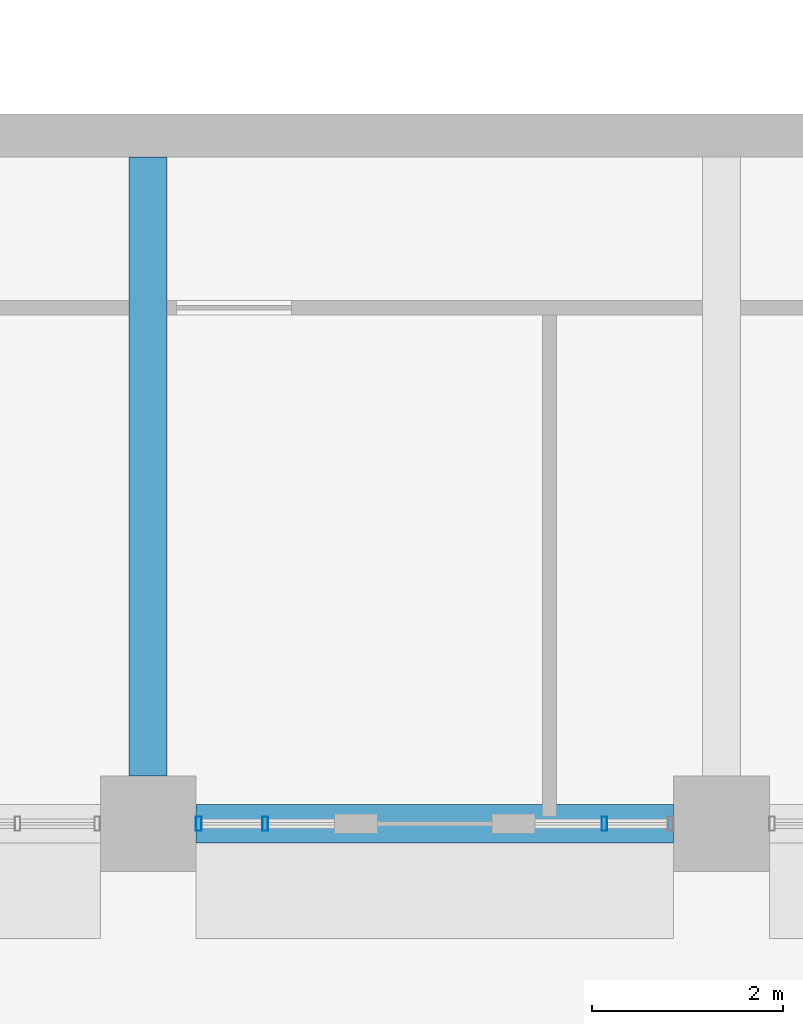
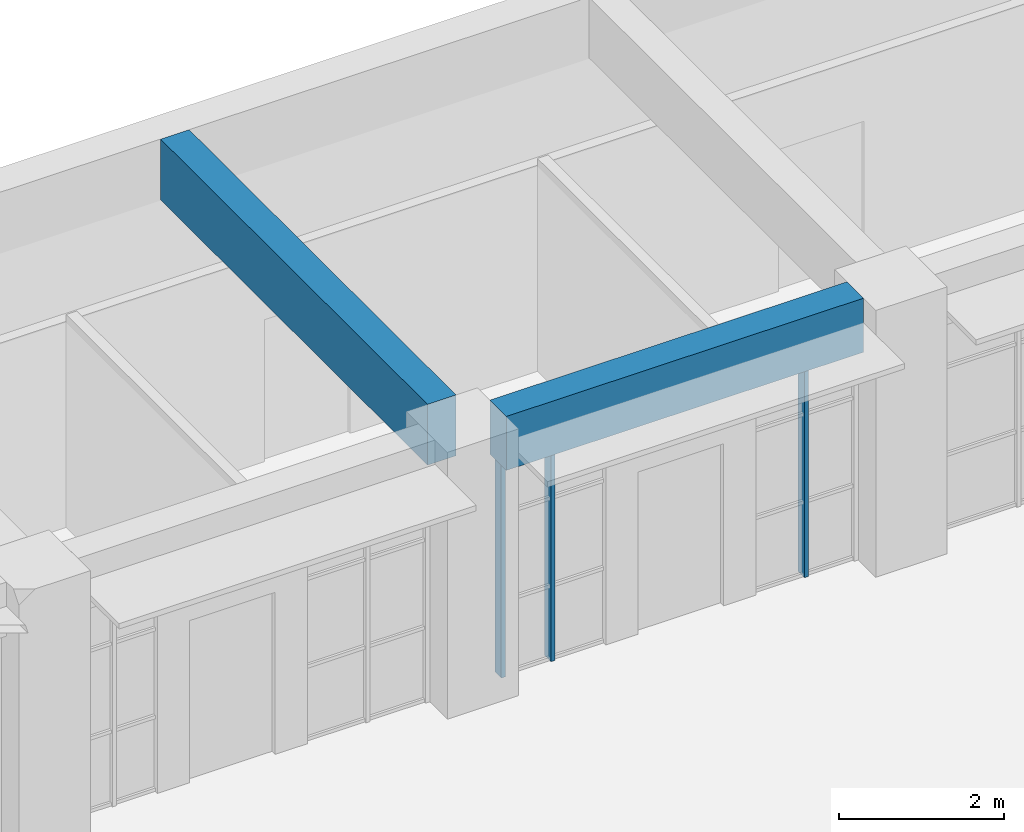
# One storey, part 31 of 103: 3 members, 2 beams, 2 elements without a shape of their own.
"""IFC4 building model written with IfcOpenShell, lengths in metres."""

from ifc_helpers import new_model, si_unit, direction, frame, origin, origin_2d, place, context, subcontext, project, spatial, rectangle, hollow_rectangle, extrude, material, material_profile, profile_set, type_object, element, aggregate, save


model = new_model("IFC4")

# Units and contexts
model_context = context("Model", 3, precision=1e-05, world=origin(), true_north=direction((0.0, 1.0)))
body_context = subcontext(model_context, "Body", "Model", "MODEL_VIEW")
ifc_project = project(units=[si_unit("LENGTHUNIT", "METRE"), si_unit("AREAUNIT", "SQUARE_METRE"), si_unit("VOLUMEUNIT", "CUBIC_METRE"), si_unit("PLANEANGLEUNIT", "RADIAN"), si_unit("MASSUNIT", "GRAM", prefix="KILO")], contexts=[model_context])

# Site, building, storey
site_placement = place(None, origin())
site = spatial("IfcSite", under=ifc_project, at=site_placement, CompositionType="ELEMENT")
building_placement = place(site_placement, origin())
building = spatial("IfcBuilding", under=site, at=building_placement, Name="Laocheng Heights Fire and Rescue Headquarters", CompositionType="ELEMENT")
storey_placement = place(building_placement, frame((0.0, 0.0, 4.199951171875)))
storey = spatial("IfcBuildingStorey", under=building, at=storey_placement, Name="L01", CompositionType="ELEMENT", Elevation=4.199951171875)

# Curtain wall, members
ifc_material_1 = material(Name="Dark anodised aluminium unitised curtain wall, low-e double glazing", Category="aluminium")
curtain_wall_type = type_object("IfcCurtainWallType", Name="CW 1450 x 3150 HQ SOUTH RIBBON", PredefinedType="NOTDEFINED", material=ifc_material_1)
curtain_wall_1_placement = place(storey_placement, origin())
curtain_wall_1 = element("IfcCurtainWall", 1, at=curtain_wall_1_placement, inside=storey, type_object=curtain_wall_type, Name="X5-X HQ SOUTH L01", PredefinedType="NOTDEFINED")
ifc_material_2 = material(Name="Dark anodised aluminium 6063-T5 extrusion", Category="aluminium")
ifc_material_profile_1 = material_profile(ifc_material_2, hollow_rectangle(XDim=0.14990234375, YDim=0.06005859375, WallThickness=0.0029296875, at=origin_2d()), Name="AL MULLION 150x60x3 HQ SOUTH RIBBON")
ifc_profile_set_1 = profile_set([ifc_material_profile_1], Name="Dark anodised aluminium 6063-T5 extrusion")
member_type = type_object("IfcMemberType", Name="AL MULLION 150x60x3 HQ SOUTH RIBBON", PredefinedType="MULLION", material=ifc_profile_set_1)
member_1_placement = place(storey_placement, frame((72.530029296875, 50.39990234375, 0.0), z_axis=(0.0, 0.0, 1.0), x_axis=(0.0, 1.0, 0.0)))
member_1 = element("IfcMember", 2, at=member_1_placement, type_object=member_type, Name="X5-X mullion 1", PredefinedType="MULLION", context=body_context, shape_type="SweptSolid", body=[
    extrude(hollow_rectangle(XDim=0.14990234375, YDim=0.06005859375, WallThickness=0.0029296875, at=origin_2d()), origin(), (0.0, 0.0, 1.0), 3.150146484375),
])
member_2_placement = place(storey_placement, frame((73.22509765625, 50.39990234375, 0.0), z_axis=(0.0, 0.0, 1.0), x_axis=(0.0, 1.0, 0.0)))
member_2 = element("IfcMember", 3, at=member_2_placement, type_object=member_type, Name="X5-X mullion 2", PredefinedType="MULLION", context=body_context, shape_type="SweptSolid", body=[
    extrude(hollow_rectangle(XDim=0.14990234375, YDim=0.06005859375, WallThickness=0.0029296875, at=origin_2d()), origin(), (0.0, 0.0, 1.0), 3.150146484375),
])
aggregate(curtain_wall_1, [member_1, member_2])

# Curtain wall, member
curtain_wall_2_placement = place(storey_placement, origin())
curtain_wall_2 = element("IfcCurtainWall", 4, at=curtain_wall_2_placement, inside=storey, type_object=curtain_wall_type, Name="X5-X HQ SOUTH L01", PredefinedType="NOTDEFINED")
member_3_placement = place(storey_placement, frame((76.77490234375, 50.39990234375, 0.0), z_axis=(0.0, 0.0, 1.0), x_axis=(0.0, 1.0, 0.0)))
member_3 = element("IfcMember", 5, at=member_3_placement, type_object=member_type, Name="X5-X mullion 2", PredefinedType="MULLION", context=body_context, shape_type="SweptSolid", body=[
    extrude(hollow_rectangle(XDim=0.14990234375, YDim=0.06005859375, WallThickness=0.0029296875, at=origin_2d()), origin(), (0.0, 0.0, 1.0), 3.150146484375),
])
aggregate(curtain_wall_2, [member_3])

# Beams
ifc_material_3 = material(Name="Concrete C40", Category="concrete")
ifc_material_profile_2 = material_profile(ifc_material_3, rectangle(XDim=0.39990234375, YDim=0.800048828125, at=origin_2d()), Name="RC BEAM 400x800 HQ")
ifc_profile_set_2 = profile_set([ifc_material_profile_2], Name="Concrete C40")
beam_type_1 = type_object("IfcBeamType", Name="RC BEAM 400x800 HQ", PredefinedType="BEAM", material=ifc_profile_set_2)
beam_1_placement = place(storey_placement, frame((72.5, 50.39990234375, 3.550048828125), z_axis=(1.0, 0.0, 0.0), x_axis=(0.0, 1.0, 0.0)))
element("IfcBeam", 6, at=beam_1_placement, inside=storey, type_object=beam_type_1, Name="HQ beam L01", PredefinedType="BEAM", context=body_context, shape_type="SweptSolid", body=[
    extrude(rectangle(XDim=0.39990234375, YDim=0.800048828125, at=origin_2d()), origin(), (0.0, 0.0, 1.0), 5.0),
])
ifc_material_4 = material(Name="Concrete C40", Category="concrete")
ifc_material_profile_3 = material_profile(ifc_material_4, rectangle(XDim=0.39990234375, YDim=0.89990234375, at=origin_2d()), Name="RC BEAM 400x900 HQ")
ifc_profile_set_3 = profile_set([ifc_material_profile_3], Name="Concrete C40")
beam_type_2 = type_object("IfcBeamType", Name="RC BEAM 400x900 HQ", PredefinedType="BEAM", material=ifc_profile_set_3)
beam_2_placement = place(storey_placement, frame((72.0, 50.89990234375, 3.5), z_axis=(0.0, 1.0, 0.0), x_axis=(-1.0, 0.0, 0.0)))
element("IfcBeam", 7, at=beam_2_placement, inside=storey, type_object=beam_type_2, Name="HQ beam L01", PredefinedType="BEAM", context=body_context, shape_type="SweptSolid", body=[
    extrude(rectangle(XDim=0.39990234375, YDim=0.89990234375, at=origin_2d()), origin(), (0.0, 0.0, 1.0), 6.47509765625),
])

save(model, "model.ifc")
